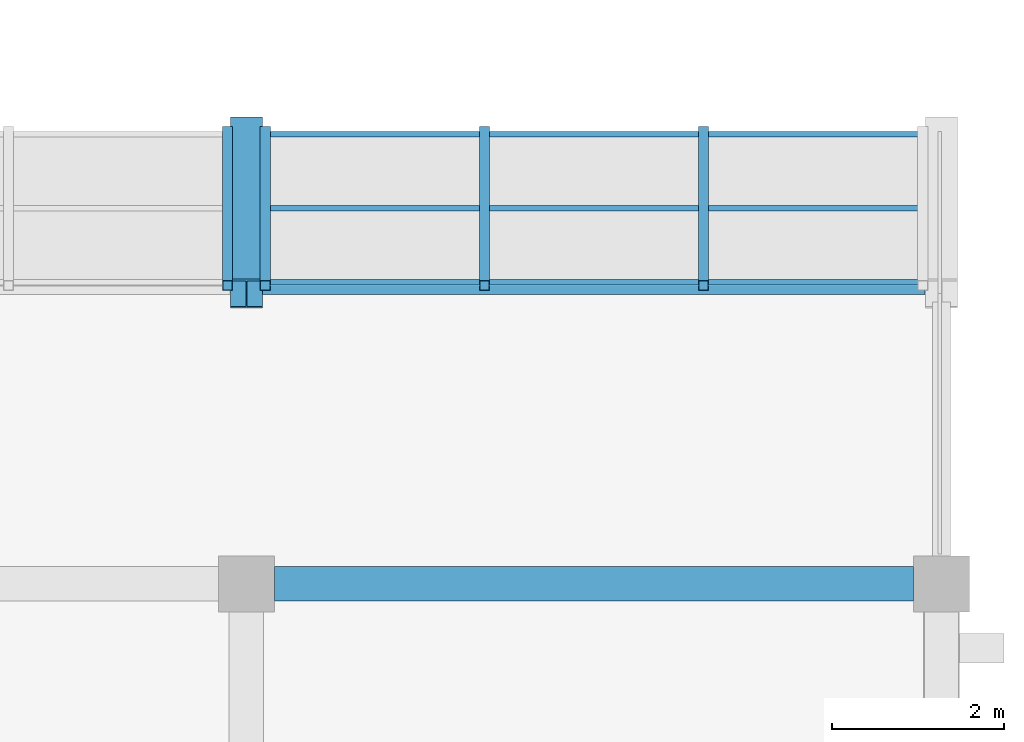
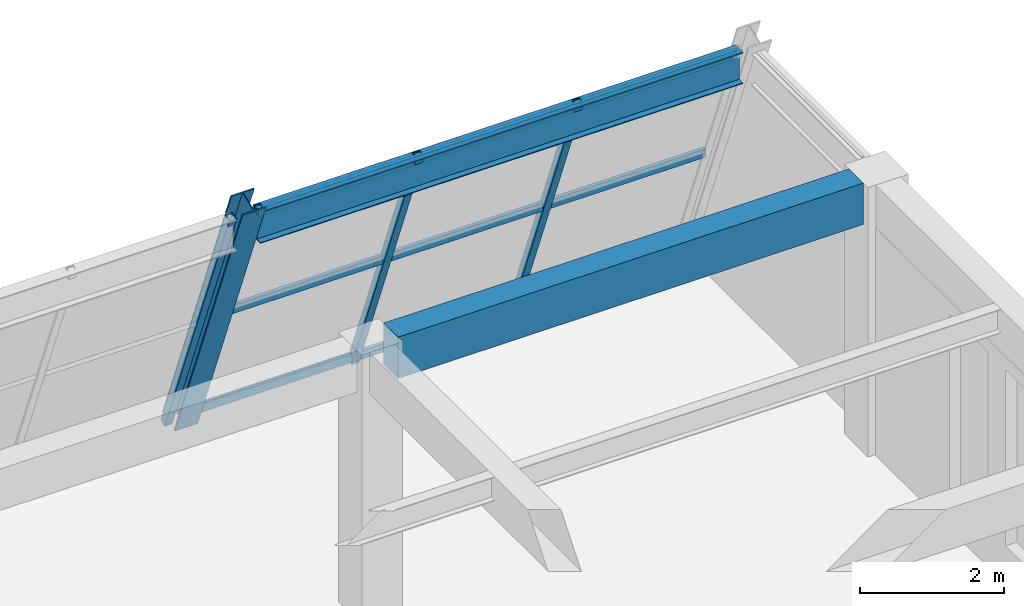
# One storey, part 127 of 161: 8 members, 2 beams, 2 elements without a shape of their own.
"""IFC4 building model written with IfcOpenShell, lengths in metres."""

from ifc_helpers import new_model, si_unit, direction, frame, origin, origin_2d, place, context, subcontext, project, spatial, rectangle, hollow_rectangle, i_section, extrude, material, material_profile, profile_set, type_object, element, aggregate, save


model = new_model("IFC4")

# Units and contexts
model_context = context("Model", 3, precision=1e-05, world=origin(), true_north=direction((0.0, 1.0)))
body_context = subcontext(model_context, "Body", "Model", "MODEL_VIEW")
ifc_project = project(units=[si_unit("LENGTHUNIT", "METRE"), si_unit("AREAUNIT", "SQUARE_METRE"), si_unit("VOLUMEUNIT", "CUBIC_METRE"), si_unit("PLANEANGLEUNIT", "RADIAN"), si_unit("MASSUNIT", "GRAM", prefix="KILO")], contexts=[model_context])

# Site, building, storey
site_placement = place(None, origin())
site = spatial("IfcSite", under=ifc_project, at=site_placement, CompositionType="ELEMENT")
building_placement = place(site_placement, origin())
building = spatial("IfcBuilding", under=site, at=building_placement, Name="Cimatlan Art Gallery", CompositionType="ELEMENT")
storey_placement = place(building_placement, frame((0.0, 0.0, 5.39990234375)))
storey = spatial("IfcBuildingStorey", under=building, at=storey_placement, Name="L01", CompositionType="ELEMENT", Elevation=5.39990234375)

# Beams
ifc_material_1 = material(Name="Concrete C40/50", Category="concrete")
ifc_material_profile_1 = material_profile(ifc_material_1, rectangle(XDim=0.39990234375, YDim=0.699951171875, at=origin_2d()), Name="RC400X700")
ifc_profile_set_1 = profile_set([ifc_material_profile_1], Name="Concrete C40/50")
beam_type_1 = type_object("IfcBeamType", Name="BM-RC-400X700", PredefinedType="BEAM", material=ifc_profile_set_1)
beam_1_placement = place(storey_placement, frame((156.22509765625, 75.699951171875, 4.210205078125), z_axis=(1.0, 0.0, 0.0), x_axis=(0.0, 1.0, 0.0)))
element("IfcBeam", 1, at=beam_1_placement, inside=storey, type_object=beam_type_1, Name="BM-X-L01-19-10", PredefinedType="BEAM", context=body_context, shape_type="SweptSolid", body=[
    extrude(rectangle(XDim=0.39990234375, YDim=0.699951171875, at=origin_2d()), origin(), (0.0, 0.0, 1.0), 7.449951171875),
])
ifc_material_2 = material(Name="Steel ASTM A992 Grade 50", Category="steel")
ifc_material_profile_2 = material_profile(ifc_material_2, i_section(OverallWidth=0.2099609375, OverallDepth=0.532958984375, WebThickness=0.01025390625, FlangeThickness=0.015625, at=origin_2d()), Name="W21X62")
ifc_profile_set_2 = profile_set([ifc_material_profile_2], Name="Steel ASTM A992 Grade 50")
beam_type_2 = type_object("IfcBeamType", Name="BM-STL-W21X62", PredefinedType="BEAM", material=ifc_profile_set_2)
beam_2_placement = place(storey_placement, frame((156.090087890625, 79.1767578125, 4.293701171875), z_axis=(1.0, 0.0, 0.0), x_axis=(0.0, 1.0, 0.0)))
element("IfcBeam", 2, at=beam_2_placement, inside=storey, type_object=beam_type_2, Name="BM-PRW-X-L01-B5-19", PredefinedType="BEAM", context=body_context, shape_type="SweptSolid", body=[
    extrude(i_section(OverallWidth=0.2099609375, OverallDepth=0.532958984375, WebThickness=0.01025390625, FlangeThickness=0.015625, at=origin_2d()), origin(), (0.0, 0.0, 1.0), 7.719970703125),
])

# Curtain wall, member
ifc_material_3 = material(Name="Raked steel-and-bronze lancet curtain wall", Category="steel")
curtain_wall_type = type_object("IfcCurtainWallType", Name="CW-RAK-07660X04901-B3", PredefinedType="NOTDEFINED", material=ifc_material_3)
curtain_wall_1_placement = place(storey_placement, origin())
curtain_wall_1 = element("IfcCurtainWall", 3, at=curtain_wall_1_placement, inside=storey, type_object=curtain_wall_type, Name="CW-PROW-L01-B5-18", PredefinedType="NOTDEFINED")
ifc_material_4 = material(Name="Steel ASTM A500 Grade C", Category="steel")
ifc_material_profile_3 = material_profile(ifc_material_4, hollow_rectangle(XDim=0.1201171875, YDim=0.1201171875, WallThickness=0.00634765625, at=origin_2d()), Name="HSS120X120X6")
ifc_profile_set_3 = profile_set([ifc_material_profile_3], Name="Steel ASTM A500 Grade C")
member_type_1 = type_object("IfcMemberType", Name="CW-MUL-RAK", PredefinedType="MULLION", material=ifc_profile_set_3)
member_1_placement = place(storey_placement, frame((155.679931640625, 80.972900390625, 0.0), z_axis=(0.0, -0.366481396036, 0.930425379254), x_axis=(1.0, 0.0, 0.0)))
member_1 = element("IfcMember", 4, at=member_1_placement, type_object=member_type_1, Name="CW-PROW-L01-B5-18-M4", PredefinedType="MULLION", context=body_context, shape_type="SweptSolid", body=[
    extrude(hollow_rectangle(XDim=0.1201171875, YDim=0.1201171875, WallThickness=0.00634765625, at=origin_2d()), origin(), (0.0, 0.0, 1.0), 4.901123046875),
])
aggregate(curtain_wall_1, [member_1])

# Curtain wall, members
curtain_wall_2_placement = place(storey_placement, origin())
curtain_wall_2 = element("IfcCurtainWall", 5, at=curtain_wall_2_placement, inside=storey, type_object=curtain_wall_type, Name="CW-PROW-L01-B5-19", PredefinedType="NOTDEFINED")
member_2_placement = place(storey_placement, frame((156.1201171875, 80.972900390625, 0.0), z_axis=(0.0, -0.366481396036, 0.930425379254), x_axis=(1.0, 0.0, 0.0)))
member_2 = element("IfcMember", 6, at=member_2_placement, type_object=member_type_1, Name="CW-PROW-L01-B5-19-M1", PredefinedType="MULLION", context=body_context, shape_type="SweptSolid", body=[
    extrude(hollow_rectangle(XDim=0.1201171875, YDim=0.1201171875, WallThickness=0.00634765625, at=origin_2d()), origin(), (0.0, 0.0, 1.0), 4.901123046875),
])
member_3_placement = place(storey_placement, frame((158.67333984375, 80.972900390625, 0.0), z_axis=(0.0, -0.366481396036, 0.930425379254), x_axis=(1.0, 0.0, 0.0)))
member_3 = element("IfcMember", 7, at=member_3_placement, type_object=member_type_1, Name="CW-PROW-L01-B5-19-M2", PredefinedType="MULLION", context=body_context, shape_type="SweptSolid", body=[
    extrude(hollow_rectangle(XDim=0.1201171875, YDim=0.1201171875, WallThickness=0.00634765625, at=origin_2d()), origin(), (0.0, 0.0, 1.0), 4.901123046875),
])
member_4_placement = place(storey_placement, frame((161.226806640625, 80.972900390625, 0.0), z_axis=(0.0, -0.366481396036, 0.930425379254), x_axis=(1.0, 0.0, 0.0)))
member_4 = element("IfcMember", 8, at=member_4_placement, type_object=member_type_1, Name="CW-PROW-L01-B5-19-M3", PredefinedType="MULLION", context=body_context, shape_type="SweptSolid", body=[
    extrude(hollow_rectangle(XDim=0.1201171875, YDim=0.1201171875, WallThickness=0.00634765625, at=origin_2d()), origin(), (0.0, 0.0, 1.0), 4.901123046875),
])
ifc_material_5 = material(Name="Anodised bronze aluminium 6063-T6", Category="aluminium")
ifc_material_profile_4 = material_profile(ifc_material_5, hollow_rectangle(XDim=0.06494140625, YDim=0.139892578125, WallThickness=0.00390625, at=origin_2d()), Name="ALU65X140X4")
ifc_profile_set_4 = profile_set([ifc_material_profile_4], Name="Anodised bronze aluminium 6063-T6")
member_type_2 = type_object("IfcMemberType", Name="CW-TRN-140", PredefinedType="USERDEFINED", material=ifc_profile_set_4)
member_5_placement = place(storey_placement, frame((156.1201171875, 80.93701171875, 0.09130859375), z_axis=(1.0, 0.0, 0.0), x_axis=(0.0, 1.0, 0.0)))
member_5 = element("IfcMember", 9, at=member_5_placement, type_object=member_type_2, Name="CW-PROW-L01-B5-19-T1", ObjectType="TRANSOM", PredefinedType="USERDEFINED", context=body_context, shape_type="SweptSolid", body=[
    extrude(hollow_rectangle(XDim=0.06494140625, YDim=0.139892578125, WallThickness=0.00390625, at=origin_2d()), origin(), (0.0, 0.0, 1.0), 7.659912109375),
])
member_6_placement = place(storey_placement, frame((156.1201171875, 80.07470703125, 2.280029296875), z_axis=(1.0, 0.0, 0.0), x_axis=(0.0, 1.0, 0.0)))
member_6 = element("IfcMember", 10, at=member_6_placement, type_object=member_type_2, Name="CW-PROW-L01-B5-19-T2", ObjectType="TRANSOM", PredefinedType="USERDEFINED", context=body_context, shape_type="SweptSolid", body=[
    extrude(hollow_rectangle(XDim=0.06494140625, YDim=0.139892578125, WallThickness=0.00390625, at=origin_2d()), origin(), (0.0, 0.0, 1.0), 7.659912109375),
])
member_7_placement = place(storey_placement, frame((156.1201171875, 79.212646484375, 4.468994140625), z_axis=(1.0, 0.0, 0.0), x_axis=(0.0, 1.0, 0.0)))
member_7 = element("IfcMember", 11, at=member_7_placement, type_object=member_type_2, Name="CW-PROW-L01-B5-19-T3", ObjectType="TRANSOM", PredefinedType="USERDEFINED", context=body_context, shape_type="SweptSolid", body=[
    extrude(hollow_rectangle(XDim=0.06494140625, YDim=0.139892578125, WallThickness=0.00390625, at=origin_2d()), origin(), (0.0, 0.0, 1.0), 7.659912109375),
])
aggregate(curtain_wall_2, [member_2, member_3, member_4, member_5, member_6, member_7])

# Member
ifc_material_profile_5 = material_profile(ifc_material_2, i_section(OverallWidth=0.37109375, OverallDepth=0.364013671875, WebThickness=0.01318359375, FlangeThickness=0.021728515625, at=origin_2d()), Name="W14X109")
ifc_profile_set_5 = profile_set([ifc_material_profile_5], Name="Steel ASTM A992 Grade 50")
member_type_3 = type_object("IfcMemberType", Name="MBR-RAK-W14X109", PredefinedType="RAFTER", material=ifc_profile_set_5)
member_8_placement = place(storey_placement, frame((155.89990234375, 80.972900390625, 0.0), z_axis=(0.0, -0.366514587358, 0.930412304978), x_axis=(1.0, 0.0, 0.0)))
element("IfcMember", 12, at=member_8_placement, inside=storey, type_object=member_type_3, Name="MBR-RAK-L01-B5-19", PredefinedType="RAFTER", context=body_context, shape_type="SweptSolid", body=[
    extrude(i_section(OverallWidth=0.37109375, OverallDepth=0.364013671875, WebThickness=0.01318359375, FlangeThickness=0.021728515625, at=origin_2d()), origin(), (0.0, 0.0, 1.0), 5.158935546875),
])

save(model, "model.ifc")
